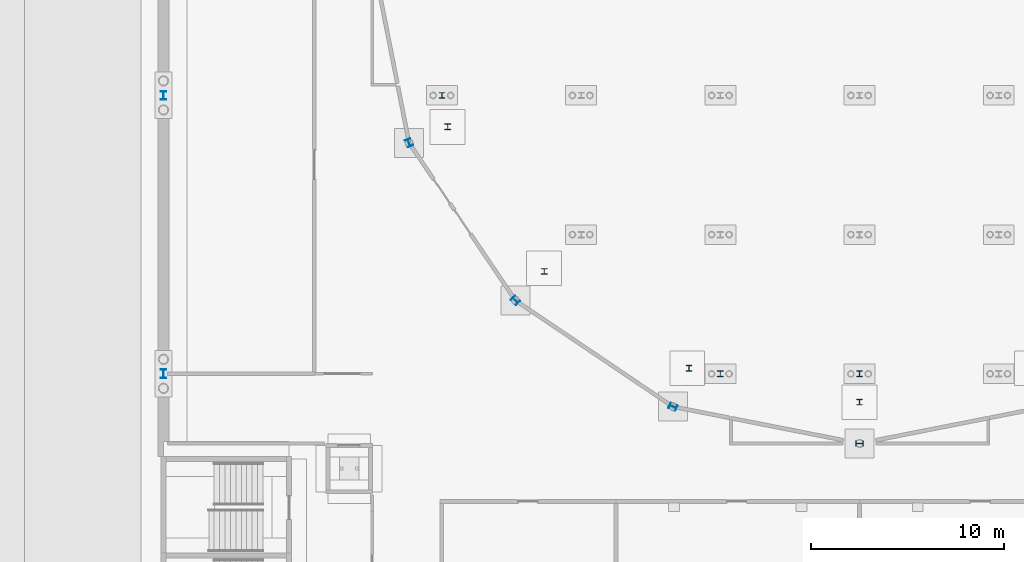
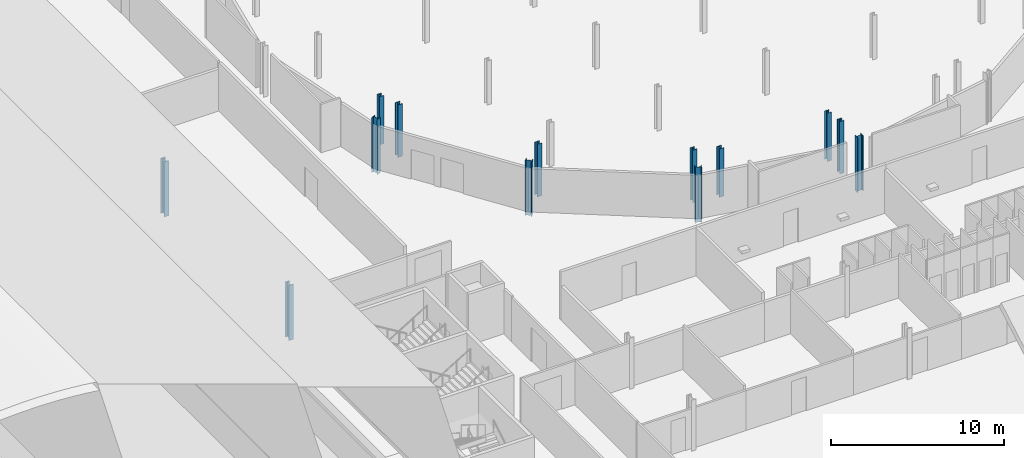
# One storey, part 44 of 148: 13 columns.
"""IFC4 building model written with IfcOpenShell, lengths in metres."""

from ifc_helpers import new_model, si_unit, direction, frame, origin, origin_2d, place, context, subcontext, project, spatial, i_section, extrude, material, material_profile, profile_set, type_object, element, save


model = new_model("IFC4")

# Units and contexts
model_context = context("Model", 3, precision=1e-05, world=origin(), true_north=direction((0.0, 1.0)))
body_context = subcontext(model_context, "Body", "Model", "MODEL_VIEW")
ifc_project = project(units=[si_unit("LENGTHUNIT", "METRE"), si_unit("AREAUNIT", "SQUARE_METRE"), si_unit("VOLUMEUNIT", "CUBIC_METRE"), si_unit("PLANEANGLEUNIT", "RADIAN"), si_unit("MASSUNIT", "GRAM", prefix="KILO")], contexts=[model_context])

# Site, building, storey
site_placement = place(None, origin())
site = spatial("IfcSite", under=ifc_project, at=site_placement, CompositionType="ELEMENT")
building_placement = place(site_placement, origin())
building = spatial("IfcBuilding", under=site, at=building_placement, Name="Kupolbacken Congress Centre", CompositionType="ELEMENT")
storey_placement = place(building_placement, origin())
storey = spatial("IfcBuildingStorey", under=building, at=storey_placement, Name="L00", CompositionType="ELEMENT", Elevation=0.0)

# Columns
ifc_material_1 = material(Name="Steel S355", Category="steel")
ifc_material_profile_1 = material_profile(ifc_material_1, i_section(OverallWidth=0.300048828125, OverallDepth=0.449951171875, WebThickness=0.013916015625, FlangeThickness=0.02587890625, FilletRadius=0.027099609375, at=origin_2d()), Name="HEB 450")
ifc_profile_set_1 = profile_set([ifc_material_profile_1], Name="Steel S355")
column_type_1 = type_object("IfcColumnType", Name="C03 column HEB 450", PredefinedType="COLUMN", material=ifc_profile_set_1)
for number, where, z_axis, x_axis, name in (
    (1, (7.199951171875, 64.800048828125, -0.300048828125), (0.0, 0.0, 1.0), (1.0, 0.0, 0.0), "S/col/C-P-2K/L00"),
    (2, (7.199951171875, 79.199951171875, -0.300048828125), (0.0, 0.0, 1.0), (1.0, 0.0, 0.0), "S/col/C-P-2M/L00"),
):
    element("IfcColumn", number, at=place(storey_placement, frame(where, z_axis=z_axis, x_axis=x_axis)), inside=storey, type_object=column_type_1, Name=name, PredefinedType="COLUMN", context=body_context, shape_type="SweptSolid", body=[
        extrude(i_section(OverallWidth=0.300048828125, OverallDepth=0.449951171875, WebThickness=0.013916015625, FlangeThickness=0.02587890625, FilletRadius=0.027099609375, at=origin_2d()), origin(), (0.0, 0.0, 1.0), 3.900146484375),
    ])
ifc_material_2 = material(Name="Steel S355", Category="steel")
ifc_material_profile_2 = material_profile(ifc_material_2, i_section(OverallWidth=0.300048828125, OverallDepth=0.300048828125, WebThickness=0.010986328125, FlangeThickness=0.01904296875, FilletRadius=0.027099609375, at=origin_2d()), Name="HEB 300")
ifc_profile_set_2 = profile_set([ifc_material_profile_2], Name="Steel S355")
column_type_2 = type_object("IfcColumnType", Name="C06 column HEB 300", PredefinedType="COLUMN", material=ifc_profile_set_2)
for number, where, z_axis, x_axis, name in (
    (3, (21.60009765625, 79.199951171875, -0.300048828125), (0.0, 0.0, 1.0), (1.0, 0.0, 0.0), "S/col/C-PL-216-792/L00"),
    (4, (36.0, 64.800048828125, -0.300048828125), (0.0, 0.0, 1.0), (1.0, 0.0, 0.0), "S/col/C-PL-360-648/L00"),
    (5, (43.199951171875, 64.800048828125, -0.300048828125), (0.0, 0.0, 1.0), (1.0, 0.0, 0.0), "S/col/C-PL-432-648/L00"),
):
    element("IfcColumn", number, at=place(storey_placement, frame(where, z_axis=z_axis, x_axis=x_axis)), inside=storey, type_object=column_type_2, Name=name, PredefinedType="COLUMN", context=body_context, shape_type="SweptSolid", body=[
        extrude(i_section(OverallWidth=0.300048828125, OverallDepth=0.300048828125, WebThickness=0.010986328125, FlangeThickness=0.01904296875, FilletRadius=0.027099609375, at=origin_2d()), origin(), (0.0, 0.0, 1.0), 3.41015625),
    ])
for number, where, z_axis, x_axis, name in (
    (6, (21.896484375, 77.57568359375, -0.300048828125), (0.0, 0.0, 1.0), (1.0, 0.0, 0.0), "Plenary ring undercroft column"),
    (7, (26.89501953125, 70.094970703125, -0.300048828125), (0.0, 0.0, 1.0), (1.0, 0.0, 0.0), "Plenary ring undercroft column"),
    (8, (34.375732421875, 65.096435546875, -0.300048828125), (0.0, 0.0, 1.0), (1.0, 0.0, 0.0), "Plenary ring undercroft column"),
    (9, (43.199951171875, 63.341064453125, -0.300048828125), (0.0, 0.0, 1.0), (1.0, 0.0, 0.0), "Plenary ring undercroft column"),
):
    element("IfcColumn", number, at=place(storey_placement, frame(where, z_axis=z_axis, x_axis=x_axis)), inside=storey, type_object=column_type_2, Name=name, PredefinedType="COLUMN", context=body_context, shape_type="SweptSolid", body=[
        extrude(i_section(OverallWidth=0.300048828125, OverallDepth=0.300048828125, WebThickness=0.010986328125, FlangeThickness=0.01904296875, FilletRadius=0.027099609375, at=origin_2d()), origin(), (0.0, 0.0, 1.0), 3.7099609375),
    ])
ifc_material_3 = material(Name="Steel S355", Category="steel")
ifc_material_profile_3 = material_profile(ifc_material_3, i_section(OverallWidth=0.300048828125, OverallDepth=0.39990234375, WebThickness=0.013427734375, FlangeThickness=0.02392578125, FilletRadius=0.027099609375, at=origin_2d()), Name="HEB 400")
ifc_profile_set_3 = profile_set([ifc_material_profile_3], Name="Steel S355")
column_type_3 = type_object("IfcColumnType", Name="C08 column HEB 400", PredefinedType="COLUMN", material=ifc_profile_set_3)
for number, where, z_axis, x_axis, name in (
    (10, (19.89990234375, 76.75, -0.300048828125), (0.0, 0.0, 1.0), (-0.923896018243, -0.382643629864, 0.0), "S/col/C-D10/L00"),
    (11, (25.39990234375, 68.60009765625, -0.300048828125), (0.0, 0.0, 1.0), (-0.707106781187, -0.707106781187, 0.0), "S/col/C-D11/L00"),
    (12, (33.550048828125, 63.10009765625, -0.300048828125), (0.0, 0.0, 1.0), (-0.382643629864, -0.923896018243, 0.0), "S/col/C-D12/L00"),
    (13, (43.199951171875, 61.199951171875, -0.300048828125), (0.0, 0.0, 1.0), (0.0, -1.0, 0.0), "S/col/C-D13/L00"),
):
    element("IfcColumn", number, at=place(storey_placement, frame(where, z_axis=z_axis, x_axis=x_axis)), inside=storey, type_object=column_type_3, Name=name, PredefinedType="COLUMN", context=body_context, shape_type="SweptSolid", body=[
        extrude(i_section(OverallWidth=0.300048828125, OverallDepth=0.39990234375, WebThickness=0.013427734375, FlangeThickness=0.02392578125, FilletRadius=0.027099609375, at=origin_2d()), origin(), (0.0, 0.0, 1.0), 3.900146484375),
    ])

save(model, "model.ifc")
